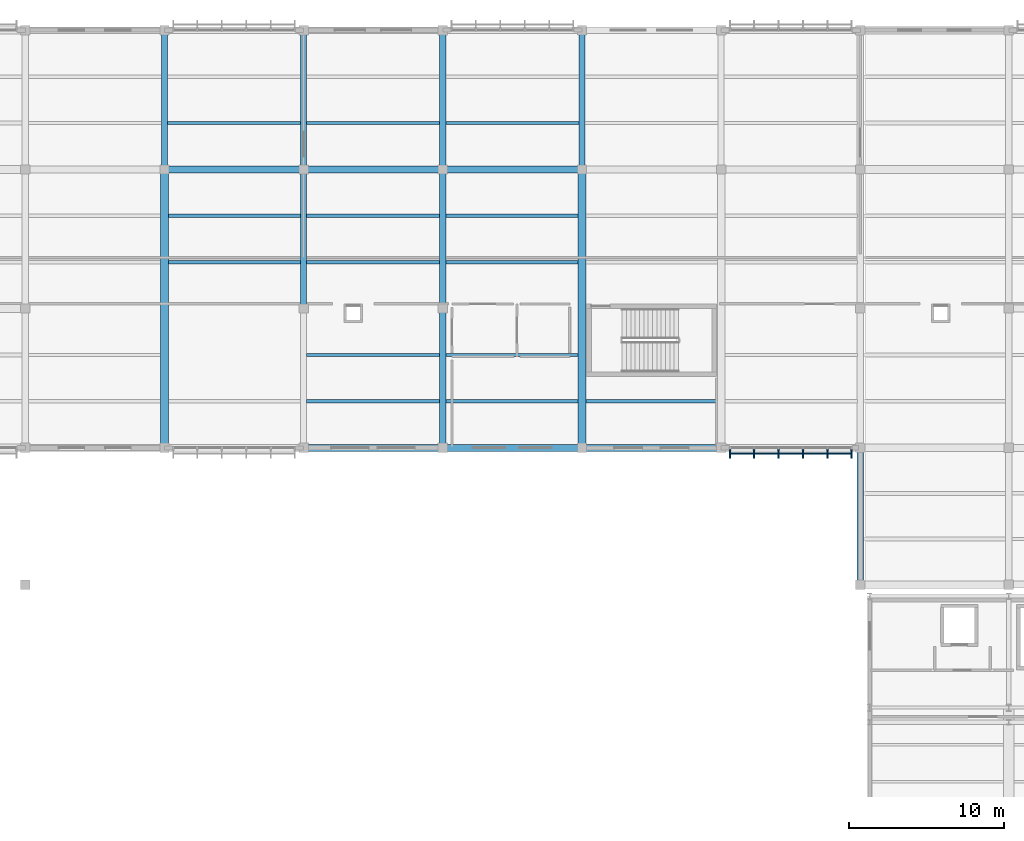
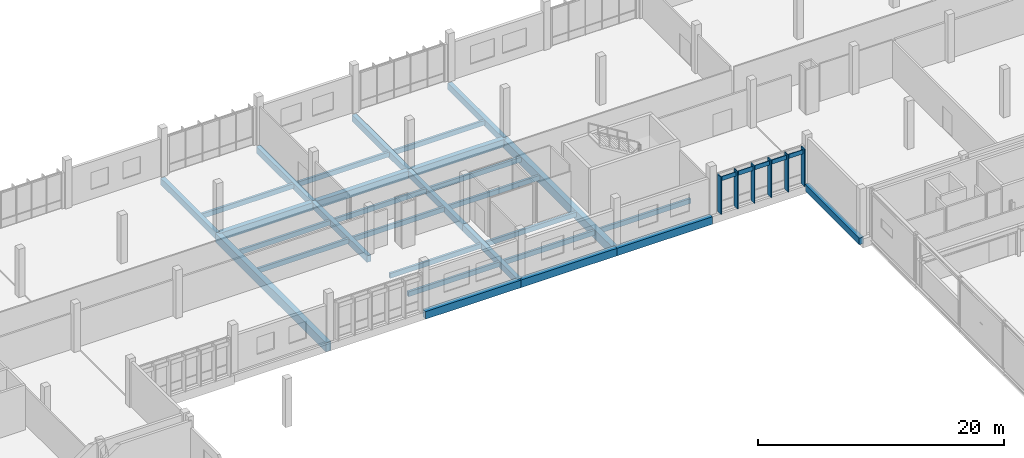
# One storey, part 82 of 177: 30 beams, 7 members, 1 element without a shape of its own.
"""IFC4 building model written with IfcOpenShell, lengths in metres."""

from ifc_helpers import new_model, si_unit, direction, frame, origin, origin_2d, place, context, subcontext, project, spatial, rectangle, extrude, material, material_profile, profile_set, type_object, element, aggregate, save


model = new_model("IFC4")

# Units and contexts
model_context = context("Model", 3, precision=1e-05, world=origin(), true_north=direction((0.0, 1.0)))
body_context = subcontext(model_context, "Body", "Model", "MODEL_VIEW")
ifc_project = project(units=[si_unit("LENGTHUNIT", "METRE"), si_unit("AREAUNIT", "SQUARE_METRE"), si_unit("VOLUMEUNIT", "CUBIC_METRE"), si_unit("PLANEANGLEUNIT", "RADIAN"), si_unit("MASSUNIT", "GRAM", prefix="KILO")], contexts=[model_context])

# Site, building, storey
site_placement = place(None, origin())
site = spatial("IfcSite", under=ifc_project, at=site_placement, CompositionType="ELEMENT")
building_placement = place(site_placement, origin())
building = spatial("IfcBuilding", under=site, at=building_placement, Name="Chiffa Square Polytechnic", CompositionType="ELEMENT")
storey_placement = place(building_placement, frame((0.0, 0.0, 4.800048828125)))
storey = spatial("IfcBuildingStorey", under=building, at=storey_placement, Name="L01", CompositionType="ELEMENT", Elevation=4.800048828125)

# Beams
ifc_material_1 = material(Name="Concrete C35/45", Category="concrete")
ifc_material_profile_1 = material_profile(ifc_material_1, rectangle(XDim=0.39990234375, YDim=0.64990234375, at=origin_2d()), Name="RC 400x650")
ifc_profile_set_1 = profile_set([ifc_material_profile_1], Name="Concrete C35/45")
beam_type_1 = type_object("IfcBeamType", Name="BM-RC-400X650", PredefinedType="BEAM", material=ifc_profile_set_1)
for number, where, z_axis, x_axis, name in (
    (1, (66.60009765625, 121.800048828125, -0.60498046875), (0.0, 1.0, 0.0), (-1.0, 0.0, 0.0), "Primary floor girder BM-V5-L01-Y-0666-1218"),
    (2, (75.60009765625, 112.800048828125, -0.60498046875), (0.0, 1.0, 0.0), (-1.0, 0.0, 0.0), "Primary floor girder BM-V5-L01-Y-0756-1128"),
    (3, (75.60009765625, 121.800048828125, -0.60498046875), (0.0, 1.0, 0.0), (-1.0, 0.0, 0.0), "Primary floor girder BM-V5-L01-Y-0756-1218"),
    (4, (84.60009765625, 103.800048828125, -0.60498046875), (0.0, 1.0, 0.0), (-1.0, 0.0, 0.0), "Primary floor girder BM-V5-L01-Y-0846-1038"),
    (5, (84.60009765625, 112.800048828125, -0.60498046875), (0.0, 1.0, 0.0), (-1.0, 0.0, 0.0), "Primary floor girder BM-V5-L01-Y-0846-1128"),
    (6, (84.60009765625, 121.800048828125, -0.60498046875), (0.0, 1.0, 0.0), (-1.0, 0.0, 0.0), "Primary floor girder BM-V5-L01-Y-0846-1218"),
    (7, (93.60009765625, 121.800048828125, -0.60498046875), (0.0, 1.0, 0.0), (-1.0, 0.0, 0.0), "Primary floor girder BM-V5-L01-Y-0936-1218"),
):
    element("IfcBeam", number, at=place(storey_placement, frame(where, z_axis=z_axis, x_axis=x_axis)), inside=storey, type_object=beam_type_1, Name=name, PredefinedType="BEAM", context=body_context, shape_type="SweptSolid", body=[
        extrude(rectangle(XDim=0.39990234375, YDim=0.64990234375, at=origin_2d()), origin(), (0.0, 0.0, 1.0), 9.0),
    ])
beam_1_placement = place(storey_placement, frame((111.60009765625, 94.949951171875, -0.60498046875), z_axis=(0.0, 1.0, 0.0), x_axis=(-1.0, 0.0, 0.0)))
element("IfcBeam", 8, at=beam_1_placement, inside=storey, type_object=beam_type_1, Name="Primary floor girder BM-V5-L01-Y-1116-0950", PredefinedType="BEAM", context=body_context, shape_type="SweptSolid", body=[
    extrude(rectangle(XDim=0.39990234375, YDim=0.64990234375, at=origin_2d()), origin(), (0.0, 0.0, 1.0), 8.85009765625),
])
ifc_material_profile_2 = material_profile(ifc_material_1, rectangle(XDim=0.449951171875, YDim=0.75, at=origin_2d()), Name="RC 450x750")
ifc_profile_set_2 = profile_set([ifc_material_profile_2], Name="Concrete C35/45")
beam_type_2 = type_object("IfcBeamType", Name="BM-RC-450X750", PredefinedType="BEAM", material=ifc_profile_set_2)
for number, where, z_axis, x_axis, name in (
    (9, (75.60009765625, 103.800048828125, -0.655029296875), (1.0, 0.0, 0.0), (0.0, 1.0, 0.0), "Primary floor girder BM-V5-L01-X-0756-1038"),
    (10, (84.60009765625, 103.800048828125, -0.655029296875), (1.0, 0.0, 0.0), (0.0, 1.0, 0.0), "Primary floor girder BM-V5-L01-X-0846-1038"),
    (11, (93.60009765625, 103.800048828125, -0.655029296875), (1.0, 0.0, 0.0), (0.0, 1.0, 0.0), "Primary floor girder BM-V5-L01-X-0936-1038"),
    (12, (66.60009765625, 121.800048828125, -0.655029296875), (1.0, 0.0, 0.0), (0.0, 1.0, 0.0), "Primary floor girder BM-V5-L01-X-0666-1218"),
    (13, (75.60009765625, 121.800048828125, -0.655029296875), (1.0, 0.0, 0.0), (0.0, 1.0, 0.0), "Primary floor girder BM-V5-L01-X-0756-1218"),
    (14, (84.60009765625, 121.800048828125, -0.655029296875), (1.0, 0.0, 0.0), (0.0, 1.0, 0.0), "Primary floor girder BM-V5-L01-X-0846-1218"),
):
    element("IfcBeam", number, at=place(storey_placement, frame(where, z_axis=z_axis, x_axis=x_axis)), inside=storey, type_object=beam_type_2, Name=name, PredefinedType="BEAM", context=body_context, shape_type="SweptSolid", body=[
        extrude(rectangle(XDim=0.449951171875, YDim=0.75, at=origin_2d()), origin(), (0.0, 0.0, 1.0), 9.0),
    ])
ifc_material_2 = material(Name="Concrete C40/50", Category="concrete")
ifc_material_profile_3 = material_profile(ifc_material_2, rectangle(XDim=0.5, YDim=0.89990234375, at=origin_2d()), Name="RC 500x900")
ifc_profile_set_3 = profile_set([ifc_material_profile_3], Name="Concrete C40/50")
beam_type_3 = type_object("IfcBeamType", Name="BM-RC-500X900", PredefinedType="BEAM", material=ifc_profile_set_3)
for number, where, z_axis, x_axis, name in (
    (15, (66.60009765625, 103.800048828125, -0.72998046875), (0.0, 1.0, 0.0), (-1.0, 0.0, 0.0), "Primary floor girder BM-V5-L01-Y-0666-1038"),
    (16, (93.60009765625, 103.800048828125, -0.72998046875), (0.0, 1.0, 0.0), (-1.0, 0.0, 0.0), "Primary floor girder BM-V5-L01-Y-0936-1038"),
):
    element("IfcBeam", number, at=place(storey_placement, frame(where, z_axis=z_axis, x_axis=x_axis)), inside=storey, type_object=beam_type_3, Name=name, PredefinedType="BEAM", context=body_context, shape_type="SweptSolid", body=[
        extrude(rectangle(XDim=0.5, YDim=0.89990234375, at=origin_2d()), origin(), (0.0, 0.0, 1.0), 18.0),
    ])

# Curtain wall, members
ifc_material_3 = material(Name="Aluminium EN AW-6060 T66 and glulam shading", Category="wood")
curtain_wall_type = type_object("IfcCurtainWallType", Name="CW-VERT-600X440", PredefinedType="USERDEFINED", material=ifc_material_3)
curtain_wall_placement = place(storey_placement, origin())
curtain_wall = element("IfcCurtainWall", 17, at=curtain_wall_placement, inside=storey, type_object=curtain_wall_type, Name="Curtain wall CW-V5-L01-201", ObjectType="CURTAIN WALL", PredefinedType="USERDEFINED")
ifc_material_4 = material(Name="Glulam GL28h", Category="wood")
ifc_material_profile_4 = material_profile(ifc_material_4, rectangle(XDim=0.080078125, YDim=0.580078125, at=origin_2d()), Name="GL28h 80x580")
ifc_profile_set_4 = profile_set([ifc_material_profile_4], Name="Glulam GL28h")
member_type_1 = type_object("IfcMemberType", Name="CWM-GL-80X580", PredefinedType="MULLION", material=ifc_profile_set_4)
member_1_placement = place(storey_placement, frame((103.1650390625, 103.427978515625, 0.010009765625), z_axis=(0.0, 0.0, 1.0), x_axis=(1.0, 0.0, 0.0)))
member_1 = element("IfcMember", 18, at=member_1_placement, type_object=member_type_1, Name="Exterior glulam solar fin CW-V5-L01-201-FN00", PredefinedType="MULLION", context=body_context, shape_type="SweptSolid", body=[
    extrude(rectangle(XDim=0.080078125, YDim=0.580078125, at=origin_2d()), origin(), (0.0, 0.0, 1.0), 3.69482421875),
])
member_2_placement = place(storey_placement, frame((104.72412109375, 103.427978515625, 0.010009765625), z_axis=(0.0, 0.0, 1.0), x_axis=(1.0, 0.0, 0.0)))
member_2 = element("IfcMember", 19, at=member_2_placement, type_object=member_type_1, Name="Exterior glulam solar fin CW-V5-L01-201-FN01", PredefinedType="MULLION", context=body_context, shape_type="SweptSolid", body=[
    extrude(rectangle(XDim=0.080078125, YDim=0.580078125, at=origin_2d()), origin(), (0.0, 0.0, 1.0), 3.69482421875),
])
member_3_placement = place(storey_placement, frame((106.30810546875, 103.427978515625, 0.010009765625), z_axis=(0.0, 0.0, 1.0), x_axis=(1.0, 0.0, 0.0)))
member_3 = element("IfcMember", 20, at=member_3_placement, type_object=member_type_1, Name="Exterior glulam solar fin CW-V5-L01-201-FN02", PredefinedType="MULLION", context=body_context, shape_type="SweptSolid", body=[
    extrude(rectangle(XDim=0.080078125, YDim=0.580078125, at=origin_2d()), origin(), (0.0, 0.0, 1.0), 3.69482421875),
])
member_4_placement = place(storey_placement, frame((107.89208984375, 103.427978515625, 0.010009765625), z_axis=(0.0, 0.0, 1.0), x_axis=(1.0, 0.0, 0.0)))
member_4 = element("IfcMember", 21, at=member_4_placement, type_object=member_type_1, Name="Exterior glulam solar fin CW-V5-L01-201-FN03", PredefinedType="MULLION", context=body_context, shape_type="SweptSolid", body=[
    extrude(rectangle(XDim=0.080078125, YDim=0.580078125, at=origin_2d()), origin(), (0.0, 0.0, 1.0), 3.69482421875),
])
member_5_placement = place(storey_placement, frame((109.47607421875, 103.427978515625, 0.010009765625), z_axis=(0.0, 0.0, 1.0), x_axis=(1.0, 0.0, 0.0)))
member_5 = element("IfcMember", 22, at=member_5_placement, type_object=member_type_1, Name="Exterior glulam solar fin CW-V5-L01-201-FN04", PredefinedType="MULLION", context=body_context, shape_type="SweptSolid", body=[
    extrude(rectangle(XDim=0.080078125, YDim=0.580078125, at=origin_2d()), origin(), (0.0, 0.0, 1.0), 3.69482421875),
])
member_6_placement = place(storey_placement, frame((111.034912109375, 103.427978515625, 0.010009765625), z_axis=(0.0, 0.0, 1.0), x_axis=(1.0, 0.0, 0.0)))
member_6 = element("IfcMember", 23, at=member_6_placement, type_object=member_type_1, Name="Exterior glulam solar fin CW-V5-L01-201-FN05", PredefinedType="MULLION", context=body_context, shape_type="SweptSolid", body=[
    extrude(rectangle(XDim=0.080078125, YDim=0.580078125, at=origin_2d()), origin(), (0.0, 0.0, 1.0), 3.69482421875),
])
ifc_material_profile_5 = material_profile(ifc_material_4, rectangle(XDim=0.070068359375, YDim=0.419921875, at=origin_2d()), Name="GL28h 70x420")
ifc_profile_set_5 = profile_set([ifc_material_profile_5], Name="Glulam GL28h")
member_type_2 = type_object("IfcMemberType", Name="CWT-GL-70X420", PredefinedType="USERDEFINED", material=ifc_profile_set_5)
member_7_placement = place(storey_placement, frame((103.1650390625, 103.427978515625, 3.3349609375), z_axis=(1.0, 0.0, 0.0), x_axis=(0.0, 1.0, 0.0)))
member_7 = element("IfcMember", 24, at=member_7_placement, type_object=member_type_2, Name="Exterior glulam brise-soleil CW-V5-L01-201-BS01", ObjectType="TRANSOM", PredefinedType="USERDEFINED", context=body_context, shape_type="SweptSolid", body=[
    extrude(rectangle(XDim=0.070068359375, YDim=0.419921875, at=origin_2d()), origin(), (0.0, 0.0, 1.0), 7.869873046875),
])
aggregate(curtain_wall, [member_1, member_2, member_3, member_4, member_5, member_6, member_7])

# Beams
ifc_material_profile_6 = material_profile(ifc_material_4, rectangle(XDim=0.219970703125, YDim=0.47998046875, at=origin_2d()), Name="GL28h 220x480")
ifc_profile_set_6 = profile_set([ifc_material_profile_6], Name="Glulam GL28h")
beam_type_4 = type_object("IfcBeamType", Name="JST-GL-220X480", PredefinedType="JOIST", material=ifc_profile_set_6)
for number, where, z_axis, x_axis, name in (
    (25, (66.847900390625, 115.800048828125, -0.52001953125), (1.0, 0.0, 0.0), (0.0, 1.0, 0.0), "Secondary floor joist JST-V5-L01-0666-1158"),
    (26, (66.847900390625, 118.800048828125, -0.52001953125), (1.0, 0.0, 0.0), (0.0, 1.0, 0.0), "Secondary floor joist JST-V5-L01-0666-1188"),
):
    element("IfcBeam", number, at=place(storey_placement, frame(where, z_axis=z_axis, x_axis=x_axis)), inside=storey, type_object=beam_type_4, Name=name, PredefinedType="JOIST", context=body_context, shape_type="SweptSolid", body=[
        extrude(rectangle(XDim=0.219970703125, YDim=0.47998046875, at=origin_2d()), origin(), (0.0, 0.0, 1.0), 8.55419921875),
    ])
for number, where, z_axis, x_axis, name in (
    (27, (66.798095703125, 124.800048828125, -0.52001953125), (1.0, 0.0, 0.0), (0.0, 1.0, 0.0), "Secondary floor joist JST-V5-L01-0666-1248"),
    (28, (75.798095703125, 106.800048828125, -0.52001953125), (1.0, 0.0, 0.0), (0.0, 1.0, 0.0), "Secondary floor joist JST-V5-L01-0756-1068"),
    (29, (75.798095703125, 109.800048828125, -0.52001953125), (1.0, 0.0, 0.0), (0.0, 1.0, 0.0), "Secondary floor joist JST-V5-L01-0756-1098"),
    (30, (75.798095703125, 115.800048828125, -0.52001953125), (1.0, 0.0, 0.0), (0.0, 1.0, 0.0), "Secondary floor joist JST-V5-L01-0756-1158"),
    (31, (75.798095703125, 118.800048828125, -0.52001953125), (1.0, 0.0, 0.0), (0.0, 1.0, 0.0), "Secondary floor joist JST-V5-L01-0756-1188"),
    (32, (75.798095703125, 124.800048828125, -0.52001953125), (1.0, 0.0, 0.0), (0.0, 1.0, 0.0), "Secondary floor joist JST-V5-L01-0756-1248"),
):
    element("IfcBeam", number, at=place(storey_placement, frame(where, z_axis=z_axis, x_axis=x_axis)), inside=storey, type_object=beam_type_4, Name=name, PredefinedType="JOIST", context=body_context, shape_type="SweptSolid", body=[
        extrude(rectangle(XDim=0.219970703125, YDim=0.47998046875, at=origin_2d()), origin(), (0.0, 0.0, 1.0), 8.60400390625),
    ])
for number, where, z_axis, x_axis, name in (
    (33, (84.798095703125, 106.800048828125, -0.52001953125), (1.0, 0.0, 0.0), (0.0, 1.0, 0.0), "Secondary floor joist JST-V5-L01-0846-1068"),
    (34, (84.798095703125, 109.800048828125, -0.52001953125), (1.0, 0.0, 0.0), (0.0, 1.0, 0.0), "Secondary floor joist JST-V5-L01-0846-1098"),
    (35, (84.798095703125, 115.800048828125, -0.52001953125), (1.0, 0.0, 0.0), (0.0, 1.0, 0.0), "Secondary floor joist JST-V5-L01-0846-1158"),
    (36, (84.798095703125, 118.800048828125, -0.52001953125), (1.0, 0.0, 0.0), (0.0, 1.0, 0.0), "Secondary floor joist JST-V5-L01-0846-1188"),
):
    element("IfcBeam", number, at=place(storey_placement, frame(where, z_axis=z_axis, x_axis=x_axis)), inside=storey, type_object=beam_type_4, Name=name, PredefinedType="JOIST", context=body_context, shape_type="SweptSolid", body=[
        extrude(rectangle(XDim=0.219970703125, YDim=0.47998046875, at=origin_2d()), origin(), (0.0, 0.0, 1.0), 8.553955078125),
    ])
beam_2_placement = place(storey_placement, frame((84.798095703125, 124.800048828125, -0.52001953125), z_axis=(1.0, 0.0, 0.0), x_axis=(0.0, 1.0, 0.0)))
element("IfcBeam", 37, at=beam_2_placement, inside=storey, type_object=beam_type_4, Name="Secondary floor joist JST-V5-L01-0846-1248", PredefinedType="JOIST", context=body_context, shape_type="SweptSolid", body=[
    extrude(rectangle(XDim=0.219970703125, YDim=0.47998046875, at=origin_2d()), origin(), (0.0, 0.0, 1.0), 8.60400390625),
])
beam_3_placement = place(storey_placement, frame((93.847900390625, 106.800048828125, -0.52001953125), z_axis=(1.0, 0.0, 0.0), x_axis=(0.0, 1.0, 0.0)))
element("IfcBeam", 38, at=beam_3_placement, inside=storey, type_object=beam_type_4, Name="Secondary floor joist JST-V5-L01-0936-1068", PredefinedType="JOIST", context=body_context, shape_type="SweptSolid", body=[
    extrude(rectangle(XDim=0.219970703125, YDim=0.47998046875, at=origin_2d()), origin(), (0.0, 0.0, 1.0), 8.504150390625),
])

save(model, "model.ifc")
